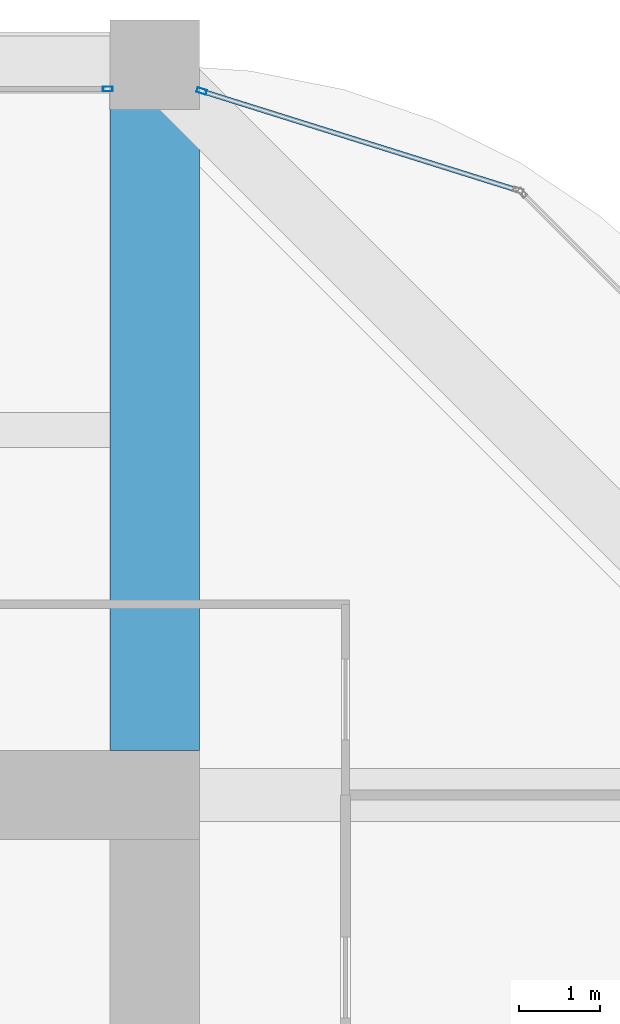
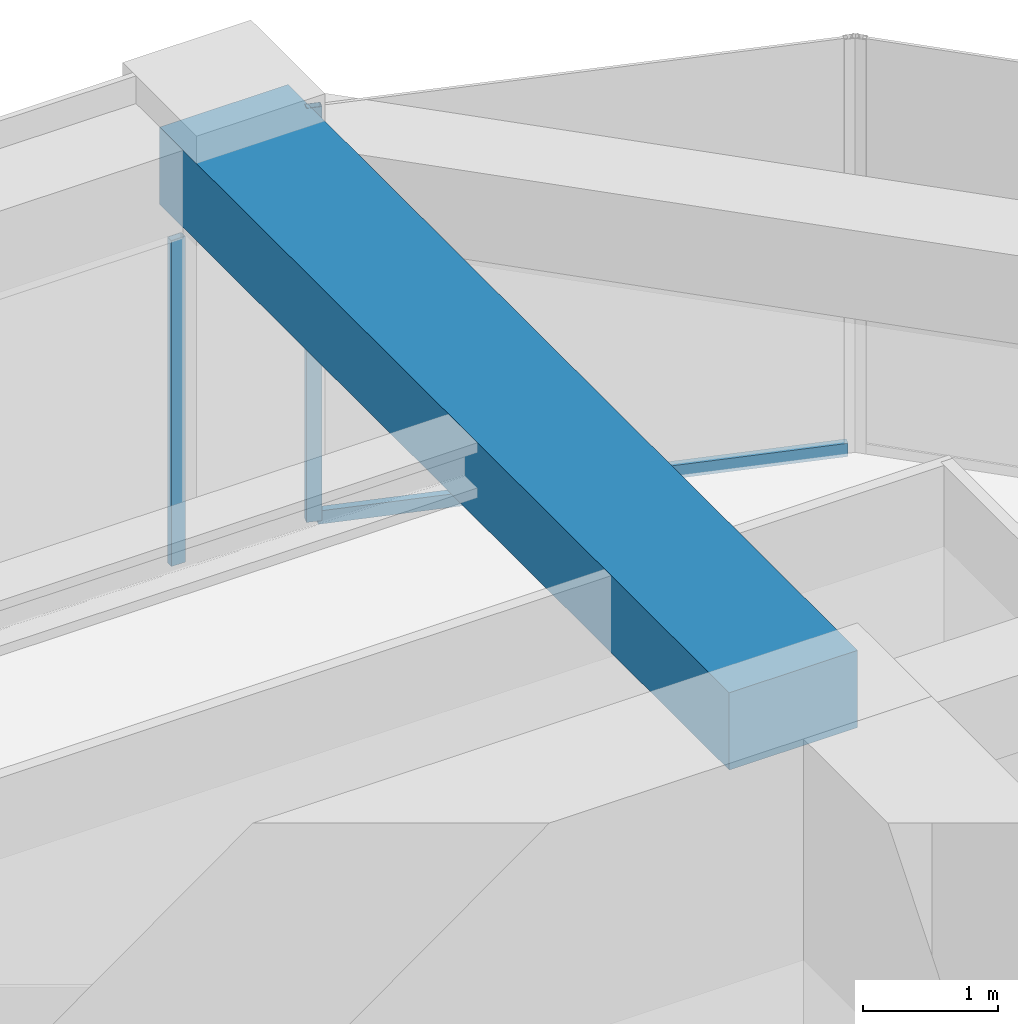
# One storey, part 37 of 44: 3 members, 1 beam, 2 elements without a shape of their own.
"""IFC4 building model written with IfcOpenShell, lengths in metres."""

from ifc_helpers import new_model, si_unit, direction, frame, origin, origin_2d, place, context, subcontext, project, spatial, rectangle, hollow_rectangle, extrude, material, material_profile, profile_set, type_object, element, aggregate, save


model = new_model("IFC4")

# Units and contexts
model_context = context("Model", 3, precision=1e-05, world=origin(), true_north=direction((0.0, 1.0)))
body_context = subcontext(model_context, "Body", "Model", "MODEL_VIEW")
ifc_project = project(units=[si_unit("LENGTHUNIT", "METRE"), si_unit("AREAUNIT", "SQUARE_METRE"), si_unit("VOLUMEUNIT", "CUBIC_METRE"), si_unit("PLANEANGLEUNIT", "RADIAN"), si_unit("MASSUNIT", "GRAM", prefix="KILO")], contexts=[model_context])

# Site, building, storey
site_placement = place(None, origin())
site = spatial("IfcSite", under=ifc_project, at=site_placement, CompositionType="ELEMENT")
building_placement = place(site_placement, origin())
building = spatial("IfcBuilding", under=site, at=building_placement, Name="Zorevar Civic Tower", CompositionType="ELEMENT")
storey_placement = place(building_placement, frame((0.0, 0.0, 259.39990234375)))
storey = spatial("IfcBuildingStorey", under=building, at=storey_placement, Name="L63", CompositionType="ELEMENT", Elevation=259.39990234375)

# Beam
ifc_material_1 = material(Name="Concrete C50/60", Category="concrete")
ifc_material_profile_1 = material_profile(ifc_material_1, rectangle(XDim=1.10009765625, YDim=0.699951171875, at=origin_2d()), Name="RC 1100x700")
ifc_profile_set_1 = profile_set([ifc_material_profile_1], Name="Concrete C50/60")
beam_type = type_object("IfcBeamType", Name="Beam RC 1100x700", PredefinedType="BEAM", material=ifc_profile_set_1)
beam_placement = place(storey_placement, frame((45.0, 36.550048828125, 3.400146484375), z_axis=(0.0, 1.0, 0.0), x_axis=(-1.0, 0.0, 0.0)))
element("IfcBeam", 1, at=beam_placement, inside=storey, type_object=beam_type, Name="Girder L64", PredefinedType="BEAM", context=body_context, shape_type="SweptSolid", body=[
    extrude(rectangle(XDim=1.10009765625, YDim=0.699951171875, at=origin_2d()), origin(), (0.0, 0.0, 1.0), 8.449951171875),
])

# Curtain wall, member
ifc_material_2 = material(Name="Dark grey solar-control glass in black aluminium frame", Category="aluminium")
curtain_wall_type = type_object("IfcCurtainWallType", Name="Curtain wall CW5 top zone", PredefinedType="NOTDEFINED", material=ifc_material_2)
curtain_wall_1_placement = place(storey_placement, origin())
curtain_wall_1 = element("IfcCurtainWall", 2, at=curtain_wall_1_placement, inside=storey, type_object=curtain_wall_type, Name="CW5 L63", PredefinedType="NOTDEFINED")
ifc_material_3 = material(Name="Aluminium, black anodised", Category="aluminium")
ifc_material_profile_2 = material_profile(ifc_material_3, hollow_rectangle(XDim=0.06005859375, YDim=0.1201171875, WallThickness=0.0029296875, at=origin_2d()), Name="AL 120x60x3")
ifc_profile_set_2 = profile_set([ifc_material_profile_2], Name="Aluminium, black anodised")
member_type_1 = type_object("IfcMemberType", Name="CW5 mullion AL 120x60x3", PredefinedType="MULLION", material=ifc_profile_set_2)
member_1_placement = place(storey_placement, frame((44.419921875, 44.699951171875, 0.0), z_axis=(0.0, 0.0, 1.0), x_axis=(0.0, 1.0, 0.0)))
member_1 = element("IfcMember", 3, at=member_1_placement, type_object=member_type_1, Name="CW5 mullion 3", PredefinedType="MULLION", context=body_context, shape_type="SweptSolid", body=[
    extrude(hollow_rectangle(XDim=0.06005859375, YDim=0.1201171875, WallThickness=0.0029296875, at=origin_2d()), origin(), (0.0, 0.0, 1.0), 2.9501953125),
])
aggregate(curtain_wall_1, [member_1])

# Curtain wall, members
curtain_wall_2_placement = place(storey_placement, origin())
curtain_wall_2 = element("IfcCurtainWall", 4, at=curtain_wall_2_placement, inside=storey, type_object=curtain_wall_type, Name="CW5 L63", PredefinedType="NOTDEFINED")
member_2_placement = place(storey_placement, frame((45.57861328125, 44.673583984375, 0.0), z_axis=(0.0, 0.0, 1.0), x_axis=(-0.299317920238, -0.954153437674, 0.0)))
member_2 = element("IfcMember", 5, at=member_2_placement, type_object=member_type_1, Name="CW5 mullion 2", PredefinedType="MULLION", context=body_context, shape_type="SweptSolid", body=[
    extrude(hollow_rectangle(XDim=0.06005859375, YDim=0.1201171875, WallThickness=0.0029296875, at=origin_2d()), origin(), (0.0, 0.0, 1.0), 3.75),
])
ifc_material_4 = material(Name="Aluminium, black anodised", Category="aluminium")
ifc_material_profile_3 = material_profile(ifc_material_4, hollow_rectangle(XDim=0.06005859375, YDim=0.1201171875, WallThickness=0.0029296875, at=origin_2d()), Name="AL 120x60x3")
ifc_profile_set_3 = profile_set([ifc_material_profile_3], Name="Aluminium, black anodised")
member_type_2 = type_object("IfcMemberType", Name="CW5 transom AL 120x60x3", PredefinedType="USERDEFINED", material=ifc_profile_set_3)
member_3_placement = place(storey_placement, frame((49.45068359375, 43.458984375, 0.030029296875), z_axis=(-0.954163457351, 0.299285978047, 0.0), x_axis=(-0.299285978047, -0.954163457351, 0.0)))
member_3 = element("IfcMember", 6, at=member_3_placement, type_object=member_type_2, Name="CW5 sill transom", ObjectType="TRANSOM", PredefinedType="USERDEFINED", context=body_context, shape_type="SweptSolid", body=[
    extrude(hollow_rectangle(XDim=0.06005859375, YDim=0.1201171875, WallThickness=0.0029296875, at=origin_2d()), origin(), (0.0, 0.0, 1.0), 4.028076171875),
])
aggregate(curtain_wall_2, [member_2, member_3])

save(model, "model.ifc")
